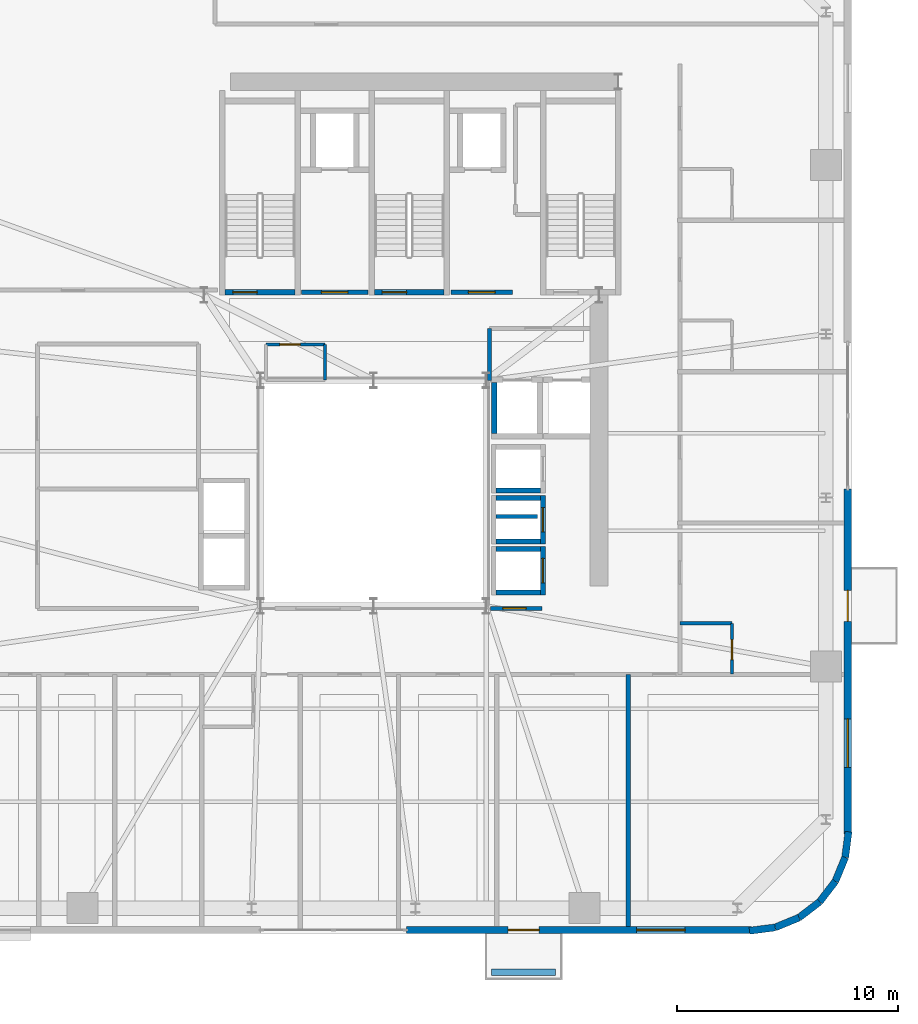
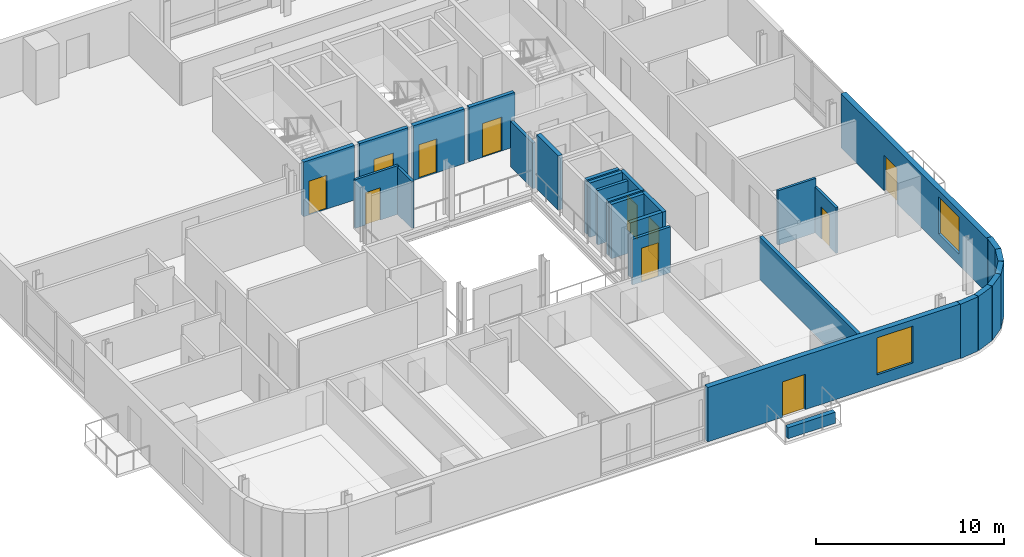
# One storey, part 8 of 12: 29 walls, 11 doors, 2 windows, 13 openings.
"""IFC4 building model written with IfcOpenShell, lengths in metres."""

import ifcopenshell
import ifcopenshell.guid

model = None  # the IFC model being written
_history = None  # IfcOwnerHistory: only IFC2X3 demands one
_inside = {}  # id of a spatial element -> (the spatial element, [elements in it])
_under = {}  # id of a project, library or spatial element -> (it, [spatial elements below it])
_declared = {}  # id of a project -> (the project, [libraries it declares])
_typed = {}  # id of a type object -> (the type object, [elements of that type])
_made_of = {}  # id of a material, layer set ... -> (it, [elements and type objects made of it])


def new_model(schema):
    """Start an empty IFC model of exactly this schema.

    Asked for "IFC4X3", IfcOpenShell would pick the latest addendum, in which some entities
    have other attributes; the version numbers below select the first issue.
    IFC2X3 requires an IfcOwnerHistory on every rooted entity: one is made here for all.
    """
    global model, _history
    if schema == "IFC4X3":
        model = ifcopenshell.file(schema_version=(4, 3, 0, 0))
    else:
        model = ifcopenshell.file(schema=schema)
    _inside.clear()
    _under.clear()
    _declared.clear()
    _typed.clear()
    _made_of.clear()
    _history = None
    if model.schema == "IFC2X3":
        org = make("IfcOrganization", Name="unknown")
        user = make(
            "IfcPersonAndOrganization",
            ThePerson=make("IfcPerson", FamilyName="unknown"),
            TheOrganization=org,
        )
        app = make(
            "IfcApplication",
            ApplicationDeveloper=org,
            Version="unknown",
            ApplicationFullName="unknown",
            ApplicationIdentifier="unknown",
        )
        _history = make(
            "IfcOwnerHistory",
            OwningUser=user,
            OwningApplication=app,
            ChangeAction="ADDED",
            CreationDate=0,
        )
    return model


def make(cls, **values):
    """One entity of the class cls with the attributes given. An attribute that is None is left unset."""
    return model.create_entity(
        cls, **{name: value for name, value in values.items() if value is not None}
    )


def rooted(cls, **values):
    """An entity with a GlobalId (a new one), such as an element, a storey or a relation."""
    return make(cls, GlobalId=ifcopenshell.guid.new(), OwnerHistory=_history, **values)


def si_unit(unit_type, name, prefix=None):
    """IfcSIUnit, for example si_unit("LENGTHUNIT", "METRE", prefix="MILLI")."""
    return make("IfcSIUnit", UnitType=unit_type, Prefix=prefix, Name=name)


def assignment(units):
    """IfcUnitAssignment: the units of a project."""
    return None if units is None else make("IfcUnitAssignment", Units=units)


def point(xyz):
    """IfcCartesianPoint."""
    return None if xyz is None else make("IfcCartesianPoint", Coordinates=xyz)


def direction(xyz):
    """IfcDirection."""
    return None if xyz is None else make("IfcDirection", DirectionRatios=xyz)


def frame(location, z_axis=None, x_axis=None):
    """IfcAxis2Placement3D, a coordinate frame: its origin and axes. An axis left out is left unset."""
    return make(
        "IfcAxis2Placement3D",
        Location=point(location),
        Axis=direction(z_axis),
        RefDirection=direction(x_axis),
    )


def frame_2d(location, x_axis=None):
    """IfcAxis2Placement2D, a coordinate frame in the plane: its origin and x axis."""
    return make(
        "IfcAxis2Placement2D", Location=point(location), RefDirection=direction(x_axis)
    )


def origin():
    """The frame at (0, 0, 0) with its axes left unset."""
    return frame((0.0, 0.0, 0.0))


def place(relative_to, where):
    """IfcLocalPlacement: puts the frame where relative to a parent placement (None: the world)."""
    return make(
        "IfcLocalPlacement", PlacementRelTo=relative_to, RelativePlacement=where
    )


def context(
    kind, dimensions, precision=None, world=None, true_north=None, identifier=None
):
    """IfcGeometricRepresentationContext, for example the 3D "Model" context."""
    return make(
        "IfcGeometricRepresentationContext",
        ContextIdentifier=identifier,
        ContextType=kind,
        CoordinateSpaceDimension=dimensions,
        Precision=precision,
        WorldCoordinateSystem=world,
        TrueNorth=true_north,
    )


def subcontext(parent, identifier, kind, view, scale=None):
    """IfcGeometricRepresentationSubContext, for example "Body" below "Model"."""
    return make(
        "IfcGeometricRepresentationSubContext",
        ContextIdentifier=identifier,
        ContextType=kind,
        ParentContext=parent,
        TargetScale=scale,
        TargetView=view,
    )


def project(units=None, contexts=None):
    """IfcProject with its units and contexts."""
    return rooted(
        "IfcProject",
        Name="project",
        RepresentationContexts=contexts,
        UnitsInContext=assignment(units),
    )


def spatial(cls, under=None, at=None, **own):
    """A site, building, storey or space (cls), placed at a placement, below another one or the project."""
    s = rooted(cls, ObjectPlacement=at, **own)
    if under is not None:
        _under.setdefault(under.id(), (under, []))[1].append(s)
    return s


def profile(cls, at=None, kind="AREA", **sizes):
    """A parametric profile (cls). Its sizes go by their IFC names, for example OverallWidth=200.0."""
    return make(cls, ProfileType=kind, Position=at, **sizes)


def rectangle(**sizes):
    """IfcRectangleProfileDef."""
    return profile("IfcRectangleProfileDef", **sizes)


def extrude(swept, where, along, depth):
    """IfcExtrudedAreaSolid: the profile swept, set in the frame where, extruded along a direction by depth."""
    return make(
        "IfcExtrudedAreaSolid",
        SweptArea=swept,
        Position=where,
        ExtrudedDirection=direction(along),
        Depth=depth,
    )


def shape(context_of_items, identifier, shape_type, items):
    """IfcShapeRepresentation: the items that make up one representation, for example the "Body"."""
    return make(
        "IfcShapeRepresentation",
        ContextOfItems=context_of_items,
        RepresentationIdentifier=identifier,
        RepresentationType=shape_type,
        Items=items,
    )


def source(mapping_origin, context_of_items, identifier, shape_type, items):
    """IfcRepresentationMap: a shape defined once, which mapped items show again and again."""
    return make(
        "IfcRepresentationMap",
        MappingOrigin=mapping_origin,
        MappedRepresentation=shape(context_of_items, identifier, shape_type, items),
    )


def transform(
    local_origin,
    x_axis=None,
    y_axis=None,
    z_axis=None,
    scale=None,
    scale2=None,
    scale3=None,
    uniform=True,
):
    """IfcCartesianTransformationOperator3D, or its non-uniform kind. x_axis, y_axis, z_axis: its Axis1, 2, 3."""
    if uniform:
        return make(
            "IfcCartesianTransformationOperator3D",
            Axis1=direction(x_axis),
            Axis2=direction(y_axis),
            LocalOrigin=point(local_origin),
            Scale=scale,
            Axis3=direction(z_axis),
        )
    return make(
        "IfcCartesianTransformationOperator3DnonUniform",
        Axis1=direction(x_axis),
        Axis2=direction(y_axis),
        LocalOrigin=point(local_origin),
        Scale=scale,
        Axis3=direction(z_axis),
        Scale2=scale2,
        Scale3=scale3,
    )


def mapped(mapping_source, mapping_target):
    """IfcMappedItem: shows the shape of a source again, moved by a transform."""
    return make(
        "IfcMappedItem", MappingSource=mapping_source, MappingTarget=mapping_target
    )


def material(Name=None, Category=None):
    """IfcMaterial."""
    return make("IfcMaterial", Name=Name, Category=Category)


def layer(
    of_material, thickness, ventilated=None, Name=None, Category=None, Priority=None
):
    """IfcMaterialLayer: one layer of a wall or slab, of a material (None: an air gap)."""
    return make(
        "IfcMaterialLayer",
        Material=of_material,
        LayerThickness=thickness,
        IsVentilated=ventilated,
        Name=Name,
        Category=Category,
        Priority=Priority,
    )


def layer_set(layers, Name=None):
    """IfcMaterialLayerSet."""
    return make("IfcMaterialLayerSet", MaterialLayers=layers, LayerSetName=Name)


def made_of(thing, what):
    """Note that an element or type object is made of a material, layer set ...; save() writes the relation."""
    if what is not None:
        _made_of.setdefault(what.id(), (what, []))[1].append(thing)
    return thing


def type_object(cls, material=None, **own):
    """A type object (cls), such as IfcWallType, which elements share."""
    return made_of(rooted(cls, **own), material)


def element(
    cls,
    number,
    at=None,
    inside=None,
    cuts=None,
    type_object=None,
    material=None,
    context=None,
    identifier="Body",
    shape_type=None,
    held_by="IfcProductDefinitionShape",
    body=None,
    shapes=None,
    **own,
):
    """One element of the class cls, such as IfcWall. Its Tag is "e" and its number.

    at: its placement. inside: the storey or other place that contains it. cuts: it is an
    opening in that element (IfcRelVoidsElement). A single representation is given by context,
    identifier, shape_type and body (its items); several are given by shapes. held_by: the class
    of the entity that holds the representations. save() writes the other relations.
    """
    e = rooted(cls, Tag="e%d" % number, ObjectPlacement=at, **own)
    if body is not None:
        shapes = [shape(context, identifier, shape_type, body)]
    if shapes is not None:
        e.Representation = make(held_by, Representations=shapes)
    if inside is not None:
        _inside.setdefault(inside.id(), (inside, []))[1].append(e)
    if cuts is not None:
        rooted(
            "IfcRelVoidsElement", RelatingBuildingElement=cuts, RelatedOpeningElement=e
        )
    if type_object is not None:
        _typed.setdefault(type_object.id(), (type_object, []))[1].append(e)
    return made_of(e, material)


def fill(opening, filler):
    """IfcRelFillsElement: the door or window that sits in an opening."""
    return rooted(
        "IfcRelFillsElement",
        RelatingOpeningElement=opening,
        RelatedBuildingElement=filler,
    )


def aggregate(whole, parts):
    """IfcRelAggregates: a whole, such as a stair, and the parts it consists of."""
    return rooted("IfcRelAggregates", RelatingObject=whole, RelatedObjects=parts)


def save(model, path):
    """Write the relations noted so far, then the file.

    IfcRelAggregates (storeys below a building ...), IfcRelContainedInSpatialStructure (elements
    in a storey), IfcRelDefinesByType, IfcRelAssociatesMaterial and IfcRelDeclares: one each for
    every whole, place, type object, material and project.
    """
    for whole, parts in _under.values():
        aggregate(whole, parts)
    for where, things in _inside.values():
        rooted(
            "IfcRelContainedInSpatialStructure",
            RelatedElements=things,
            RelatingStructure=where,
        )
    for kind, things in _typed.values():
        rooted("IfcRelDefinesByType", RelatedObjects=things, RelatingType=kind)
    for what, things in _made_of.values():
        rooted("IfcRelAssociatesMaterial", RelatedObjects=things, RelatingMaterial=what)
    for by, libraries in _declared.values():
        rooted("IfcRelDeclares", RelatingContext=by, RelatedDefinitions=libraries)
    model.write(path)


model = new_model("IFC4")

# Units and contexts
model_context = context("Model", 3, precision=1e-05, world=origin(), true_north=direction((0.0, 1.0)))
body_context = subcontext(model_context, "Body", "Model", "MODEL_VIEW")
ifc_project = project(units=[si_unit("LENGTHUNIT", "METRE"), si_unit("AREAUNIT", "SQUARE_METRE"), si_unit("VOLUMEUNIT", "CUBIC_METRE"), si_unit("PLANEANGLEUNIT", "RADIAN"), si_unit("MASSUNIT", "GRAM", prefix="KILO")], contexts=[model_context])

# Site, building, storey
site_placement = place(None, origin())
site = spatial("IfcSite", under=ifc_project, at=site_placement, CompositionType="ELEMENT")
building_placement = place(site_placement, origin())
building = spatial("IfcBuilding", under=site, at=building_placement, Name="Vardaveli Station Tower", CompositionType="ELEMENT")
storey_placement = place(building_placement, frame((0.0, 0.0, 214.800048828125)))
storey = spatial("IfcBuildingStorey", under=building, at=storey_placement, Name="L55", CompositionType="ELEMENT", Elevation=214.800048828125)

# Wall
ifc_material_1 = material(Name="Precast concrete C45/55", Category="concrete")
ifc_layer_1 = layer(ifc_material_1, 0.280029296875, Name="Precast concrete C45/55")
ifc_layer_set_1 = layer_set([ifc_layer_1], Name="Precast concrete C45/55")
wall_type_1 = type_object("IfcWallType", Name="WAL-PARAPET-280", PredefinedType="SOLIDWALL", material=ifc_layer_set_1)
shared_shape_1 = source(origin(), body_context, "Body", "SweptSolid", [
    extrude(rectangle(XDim=2.89990234375, YDim=0.280029296875, at=frame_2d((1.449951171875, 0.0))), origin(), (0.0, 0.0, 1.0), 0.719970703125),
])
wall_1_placement = place(storey_placement, frame((41.6396484375, 0.050048828125, 0.0), z_axis=(0.0, 0.0, 1.0), x_axis=(1.0, 0.0, 0.0)))
element("IfcWall", 1, at=wall_1_placement, inside=storey, type_object=wall_type_1, Name="Terrace Travertine Planter L55", PredefinedType="SOLIDWALL", context=body_context, shape_type="MappedRepresentation", body=[
    mapped(shared_shape_1, transform((0.0, 0.0, 0.0), scale=1.0)),
])

# Wall, openings, door, window
ifc_layer_2 = layer(ifc_material_1, 0.320068359375, Name="Precast concrete C45/55")
ifc_layer_set_2 = layer_set([ifc_layer_2], Name="Precast concrete C45/55")
wall_type_2 = type_object("IfcWallType", Name="WAL-EXT-STONE-320", PredefinedType="SOLIDWALL", material=ifc_layer_set_2)
shared_shape_2 = source(origin(), body_context, "Body", "SweptSolid", [
    extrude(rectangle(XDim=15.599853515625, YDim=0.320068359375, at=frame_2d((7.7998046875, 0.0))), origin(), (0.0, 0.0, 1.0), 3.530029296875),
])
wall_2_placement = place(storey_placement, frame((37.800048828125, 1.9599609375, 0.0), z_axis=(0.0, 0.0, 1.0), x_axis=(1.0, 0.0, 0.0)))
wall_2 = element("IfcWall", 2, at=wall_2_placement, inside=storey, type_object=wall_type_2, Name="EW-L55-S2", PredefinedType="SOLIDWALL", context=body_context, shape_type="MappedRepresentation", body=[
    mapped(shared_shape_2, transform((0.0, 0.0, 0.0), scale=1.0)),
])
shared_shape_3 = source(origin(), body_context, "Body", "SweptSolid", [
    extrude(rectangle(XDim=1.39990234375, YDim=2.300048828125, at=frame_2d((0.699951171875, 1.14990234375))), frame((0.0, 0.169921875, 0.0), z_axis=(0.0, -1.0, 0.0), x_axis=(1.0, 0.0, 0.0)), (0.0, 0.0, 1.0), 0.340087890625),
])
opening_1_placement = place(wall_2_placement, frame((4.589599609375, 0.0, 0.0)))
opening_1 = element("IfcOpeningElement", 3, at=opening_1_placement, cuts=wall_2, Name="Opening D-09", PredefinedType="OPENING", context=body_context, shape_type="MappedRepresentation", body=[
    mapped(shared_shape_3, transform((0.0, 0.0, 0.0), scale=1.0)),
])
shared_shape_4 = source(origin(), body_context, "Body", "SweptSolid", [
    extrude(rectangle(XDim=2.199951171875, YDim=2.39990234375, at=frame_2d((1.10009765625, 1.199951171875))), frame((0.0, 0.169921875, 0.0), z_axis=(0.0, -1.0, 0.0), x_axis=(1.0, 0.0, 0.0)), (0.0, 0.0, 1.0), 0.340087890625),
])
opening_2_placement = place(wall_2_placement, frame((10.39501953125, 0.0, 0.719970703125)))
opening_2 = element("IfcOpeningElement", 4, at=opening_2_placement, cuts=wall_2, Name="Opening W-03", PredefinedType="OPENING", context=body_context, shape_type="MappedRepresentation", body=[
    mapped(shared_shape_4, transform((0.0, 0.0, 0.0), scale=1.0)),
])
ifc_material_2 = material(Name="Thermally broken aluminium glass", Category="aluminium")
door_type_1 = type_object("IfcDoorType", Name="DR-LOG-1400x2300", OperationType="DOUBLE_DOOR_SLIDING", PredefinedType="DOOR", material=ifc_material_2)
shared_shape_5 = source(origin(), body_context, "Body", "SweptSolid", [
    extrude(rectangle(XDim=1.39990234375, YDim=2.300048828125, at=frame_2d((0.699951171875, 1.14990234375))), frame((0.0, 0.02490234375, 0.0), z_axis=(0.0, -1.0, 0.0), x_axis=(1.0, 0.0, 0.0)), (0.0, 0.0, 1.0), 0.050048828125),
])
door_1_placement = place(opening_1_placement, frame((1.39990234375, 0.0, 0.0), z_axis=(0.0, 0.0, 1.0), x_axis=(-1.0, 0.0, 0.0)))
door_1 = element("IfcDoor", 5, at=door_1_placement, inside=storey, type_object=door_type_1, Name="DLG-L55-S", OperationType="DOUBLE_DOOR_SLIDING", OverallHeight=2.300048828125, OverallWidth=1.39990234375, PredefinedType="DOOR", context=body_context, shape_type="MappedRepresentation", body=[
    mapped(shared_shape_5, transform((0.0, 0.0, 0.0), scale=1.0)),
])
fill(opening_1, door_1)
ifc_material_3 = material(Name="Low-E solar-control glass", Category="glass")
window_type = type_object("IfcWindowType", Name="WIN-LOG-2200x2400", PartitioningType="SINGLE_PANEL", PredefinedType="WINDOW", material=ifc_material_3)
shared_shape_6 = source(origin(), body_context, "Body", "SweptSolid", [
    extrude(rectangle(XDim=2.199951171875, YDim=2.39990234375, at=frame_2d((1.10009765625, 1.199951171875))), frame((0.0, 0.030029296875, 0.0), z_axis=(0.0, -1.0, 0.0), x_axis=(1.0, 0.0, 0.0)), (0.0, 0.0, 1.0), 0.06005859375),
])
window_1_placement = place(opening_2_placement, origin())
window_1 = element("IfcWindow", 6, at=window_1_placement, inside=storey, type_object=window_type, Name="WN-L55-S2", OverallHeight=2.39990234375, OverallWidth=2.199951171875, PartitioningType="SINGLE_PANEL", PredefinedType="WINDOW", context=body_context, shape_type="MappedRepresentation", body=[
    mapped(shared_shape_6, transform((0.0, 0.0, 0.0), scale=1.0)),
])
fill(opening_2, window_1)

wall_3_placement = place(storey_placement, frame((57.739990234375, 6.300048828125, 0.0), z_axis=(0.0, 0.0, 1.0), x_axis=(0.0, 1.0, 0.0)))
wall_3 = element("IfcWall", 7, at=wall_3_placement, inside=storey, type_object=wall_type_2, Name="EW-L55-E1", PredefinedType="SOLIDWALL", context=body_context, shape_type="MappedRepresentation", body=[
    mapped(shared_shape_2, transform((0.0, 0.0, 0.0), scale=1.0)),
])
opening_3_placement = place(wall_3_placement, frame((9.6103515625, 0.0, 0.0)))
opening_3 = element("IfcOpeningElement", 8, at=opening_3_placement, cuts=wall_3, Name="Opening D-09", PredefinedType="OPENING", context=body_context, shape_type="MappedRepresentation", body=[
    mapped(shared_shape_3, transform((0.0, 0.0, 0.0), scale=1.0)),
])
opening_4_placement = place(wall_3_placement, frame((3.0048828125, 0.0, 0.719970703125)))
opening_4 = element("IfcOpeningElement", 9, at=opening_4_placement, cuts=wall_3, Name="Opening W-03", PredefinedType="OPENING", context=body_context, shape_type="MappedRepresentation", body=[
    mapped(shared_shape_4, transform((0.0, 0.0, 0.0), scale=1.0)),
])
door_2_placement = place(opening_3_placement, frame((1.39990234375, 0.0, 0.0), z_axis=(0.0, 0.0, 1.0), x_axis=(-1.0, 0.0, 0.0)))
door_2 = element("IfcDoor", 10, at=door_2_placement, inside=storey, type_object=door_type_1, Name="DLG-L55-E", OperationType="DOUBLE_DOOR_SLIDING", OverallHeight=2.300048828125, OverallWidth=1.39990234375, PredefinedType="DOOR", context=body_context, shape_type="MappedRepresentation", body=[
    mapped(shared_shape_5, transform((0.0, 0.0, 0.0), scale=1.0)),
])
fill(opening_3, door_2)
window_2_placement = place(opening_4_placement, origin())
window_2 = element("IfcWindow", 11, at=window_2_placement, inside=storey, type_object=window_type, Name="WN-L55-E1", OverallHeight=2.39990234375, OverallWidth=2.199951171875, PartitioningType="SINGLE_PANEL", PredefinedType="WINDOW", context=body_context, shape_type="MappedRepresentation", body=[
    mapped(shared_shape_6, transform((0.0, 0.0, 0.0), scale=1.0)),
])
fill(opening_4, window_2)

# Walls
shared_shape_7 = source(origin(), body_context, "Body", "SweptSolid", [
    extrude(rectangle(XDim=1.170654296875, YDim=0.320068359375, at=frame_2d((0.58544921875, 0.0))), origin(), (0.0, 0.0, 1.0), 3.530029296875),
])
wall_4_placement = place(storey_placement, frame((57.62548828125, 5.23974609375, 0.0), z_axis=(0.0, 0.0, 1.0), x_axis=(0.128269133229, 0.991739395941, 0.0)))
element("IfcWall", 12, at=wall_4_placement, inside=storey, type_object=wall_type_2, Name="EW-L55-CR2-6", PredefinedType="SOLIDWALL", context=body_context, shape_type="MappedRepresentation", body=[
    mapped(shared_shape_7, transform((0.0, 0.0, 0.0), scale=1.0)),
])
shared_shape_8 = source(origin(), body_context, "Body", "SweptSolid", [
    extrude(rectangle(XDim=1.1689453125, YDim=0.320068359375, at=frame_2d((0.58447265625, 0.0))), origin(), (0.0, 0.0, 1.0), 3.530029296875),
])
for number, where, z_axis, x_axis, name in (
    (13, (56.46875, 3.231201171875, 0.0), (0.0, 0.0, 1.0), (0.608387696831, 0.793639975269, 0.0), "EW-L55-CR2-4"),
    (14, (57.179931640625, 4.158935546875, 0.0), (0.0, 0.0, 1.0), (0.381127904695, 0.924522320046, 0.0), "EW-L55-CR2-5"),
):
    element("IfcWall", number, at=place(storey_placement, frame(where, z_axis=z_axis, x_axis=x_axis)), inside=storey, type_object=wall_type_2, Name=name, PredefinedType="SOLIDWALL", context=body_context, shape_type="MappedRepresentation", body=[
        mapped(shared_shape_8, transform((0.0, 0.0, 0.0), scale=1.0)),
    ])
shared_shape_9 = source(origin(), body_context, "Body", "SweptSolid", [
    extrude(rectangle(XDim=1.168701171875, YDim=0.320068359375, at=frame_2d((0.58447265625, 0.0))), origin(), (0.0, 0.0, 1.0), 3.530029296875),
])
wall_5_placement = place(storey_placement, frame((55.541259765625, 2.520263671875, 0.0), z_axis=(0.0, 0.0, 1.0), x_axis=(0.793663520347, 0.608356981114, 0.0)))
element("IfcWall", 15, at=wall_5_placement, inside=storey, type_object=wall_type_2, Name="EW-L55-CR2-3", PredefinedType="SOLIDWALL", context=body_context, shape_type="MappedRepresentation", body=[
    mapped(shared_shape_9, transform((0.0, 0.0, 0.0), scale=1.0)),
])
shared_shape_10 = source(origin(), body_context, "Body", "SweptSolid", [
    extrude(rectangle(XDim=1.16943359375, YDim=0.320068359375, at=frame_2d((0.584716796875, 0.0))), origin(), (0.0, 0.0, 1.0), 3.530029296875),
])
wall_6_placement = place(storey_placement, frame((54.460205078125, 2.074462890625, 0.0), z_axis=(0.0, 0.0, 1.0), x_axis=(0.924479075121, 0.381232789334, 0.0)))
element("IfcWall", 16, at=wall_6_placement, inside=storey, type_object=wall_type_2, Name="EW-L55-CR2-2", PredefinedType="SOLIDWALL", context=body_context, shape_type="MappedRepresentation", body=[
    mapped(shared_shape_10, transform((0.0, 0.0, 0.0), scale=1.0)),
])
shared_shape_11 = source(origin(), body_context, "Body", "SweptSolid", [
    extrude(rectangle(XDim=1.170166015625, YDim=0.320068359375, at=frame_2d((0.5849609375, 0.0))), origin(), (0.0, 0.0, 1.0), 3.530029296875),
])
wall_7_placement = place(storey_placement, frame((53.299560546875, 1.924560546875, 0.0), z_axis=(0.0, 0.0, 1.0), x_axis=(0.991762485493, 0.128090485085, 0.0)))
element("IfcWall", 17, at=wall_7_placement, inside=storey, type_object=wall_type_2, Name="EW-L55-CR2-1", PredefinedType="SOLIDWALL", context=body_context, shape_type="MappedRepresentation", body=[
    mapped(shared_shape_11, transform((0.0, 0.0, 0.0), scale=1.0)),
])

# Wall, opening, door
ifc_material_4 = material(Name="Concrete C40/50", Category="concrete")
ifc_layer_3 = layer(ifc_material_4, 0.25, Name="Concrete C40/50")
ifc_layer_set_3 = layer_set([ifc_layer_3], Name="Concrete C40/50")
wall_type_3 = type_object("IfcWallType", Name="WAL-SHAFT-250", PredefinedType="SOLIDWALL", material=ifc_layer_set_3)
shared_shape_12 = source(origin(), body_context, "Body", "SweptSolid", [
    extrude(rectangle(XDim=3.14990234375, YDim=0.25, at=frame_2d((1.574951171875, 0.0))), origin(), (0.0, 0.0, 1.0), 3.550048828125),
])
wall_8_placement = place(storey_placement, frame((29.60009765625, 30.77490234375, 0.0), z_axis=(0.0, 0.0, 1.0), x_axis=(1.0, 0.0, 0.0)))
wall_8 = element("IfcWall", 18, at=wall_8_placement, inside=storey, type_object=wall_type_3, Name="W-L55-ST-1S", PredefinedType="SOLIDWALL", context=body_context, shape_type="MappedRepresentation", body=[
    mapped(shared_shape_12, transform((0.0, 0.0, 0.0), scale=1.0)),
])
shared_shape_13 = source(origin(), body_context, "Body", "SweptSolid", [
    extrude(rectangle(XDim=1.10009765625, YDim=2.199951171875, at=frame_2d((0.550048828125, 1.10009765625))), frame((0.0, 0.135009765625, 0.0), z_axis=(0.0, -1.0, 0.0), x_axis=(1.0, 0.0, 0.0)), (0.0, 0.0, 1.0), 0.27001953125),
])
opening_5_placement = place(wall_8_placement, frame((0.35009765625, 0.0, 0.0)))
opening_5 = element("IfcOpeningElement", 19, at=opening_5_placement, cuts=wall_8, Name="Opening D-04", PredefinedType="OPENING", context=body_context, shape_type="MappedRepresentation", body=[
    mapped(shared_shape_13, transform((0.0, 0.0, 0.0), scale=1.0)),
])
ifc_material_5 = material(Name="Steel smokeproof fire doorset", Category="steel")
door_type_2 = type_object("IfcDoorType", Name="DR-ST-1100x2200", OperationType="NOTDEFINED", PredefinedType="DOOR", material=ifc_material_5)
shared_shape_14 = source(origin(), body_context, "Body", "SweptSolid", [
    extrude(rectangle(XDim=1.10009765625, YDim=2.199951171875, at=frame_2d((0.550048828125, 1.10009765625))), frame((0.0, 0.02490234375, 0.0), z_axis=(0.0, -1.0, 0.0), x_axis=(1.0, 0.0, 0.0)), (0.0, 0.0, 1.0), 0.050048828125),
])
door_3_placement = place(opening_5_placement, origin())
door_3 = element("IfcDoor", 20, at=door_3_placement, inside=storey, type_object=door_type_2, Name="DST-1-L55", OperationType="SINGLE_SWING_LEFT", OverallHeight=2.199951171875, OverallWidth=1.10009765625, PredefinedType="DOOR", context=body_context, shape_type="MappedRepresentation", body=[
    mapped(shared_shape_14, transform((0.0, 0.0, 0.0), scale=1.0)),
])
fill(opening_5, door_3)

wall_9_placement = place(storey_placement, frame((36.35009765625, 30.77490234375, 0.0), z_axis=(0.0, 0.0, 1.0), x_axis=(1.0, 0.0, 0.0)))
wall_9 = element("IfcWall", 21, at=wall_9_placement, inside=storey, type_object=wall_type_3, Name="W-L55-ST-2S", PredefinedType="SOLIDWALL", context=body_context, shape_type="MappedRepresentation", body=[
    mapped(shared_shape_12, transform((0.0, 0.0, 0.0), scale=1.0)),
])
opening_6_placement = place(wall_9_placement, frame((0.35009765625, 0.0, 0.0)))
opening_6 = element("IfcOpeningElement", 22, at=opening_6_placement, cuts=wall_9, Name="Opening D-04", PredefinedType="OPENING", context=body_context, shape_type="MappedRepresentation", body=[
    mapped(shared_shape_13, transform((0.0, 0.0, 0.0), scale=1.0)),
])
door_4_placement = place(opening_6_placement, origin())
door_4 = element("IfcDoor", 23, at=door_4_placement, inside=storey, type_object=door_type_2, Name="DST-2-L55", OperationType="SINGLE_SWING_LEFT", OverallHeight=2.199951171875, OverallWidth=1.10009765625, PredefinedType="DOOR", context=body_context, shape_type="MappedRepresentation", body=[
    mapped(shared_shape_14, transform((0.0, 0.0, 0.0), scale=1.0)),
])
fill(opening_6, door_4)

ifc_layer_4 = layer(ifc_material_4, 0.219970703125, Name="Concrete C40/50")
ifc_layer_set_4 = layer_set([ifc_layer_4], Name="Concrete C40/50")
wall_type_4 = type_object("IfcWallType", Name="WAL-FFLOBBY-220", PredefinedType="SOLIDWALL", material=ifc_layer_set_4)
shared_shape_15 = source(origin(), body_context, "Body", "SweptSolid", [
    extrude(rectangle(XDim=3.0, YDim=0.219970703125, at=frame_2d((1.5, 0.0))), origin(), (0.0, 0.0, 1.0), 3.530029296875),
])
wall_10_placement = place(storey_placement, frame((33.050048828125, 30.780029296875, 0.0), z_axis=(0.0, 0.0, 1.0), x_axis=(1.0, 0.0, 0.0)))
wall_10 = element("IfcWall", 24, at=wall_10_placement, inside=storey, type_object=wall_type_4, Name="W-L55-FFL1S", PredefinedType="SOLIDWALL", context=body_context, shape_type="MappedRepresentation", body=[
    mapped(shared_shape_15, transform((0.0, 0.0, 0.0), scale=1.0)),
])
shared_shape_16 = source(origin(), body_context, "Body", "SweptSolid", [
    extrude(rectangle(XDim=1.199951171875, YDim=2.199951171875, at=frame_2d((0.60009765625, 1.10009765625))), frame((0.0, 0.1201171875, 0.0), z_axis=(0.0, -1.0, 0.0), x_axis=(1.0, 0.0, 0.0)), (0.0, 0.0, 1.0), 0.239990234375),
])
opening_7_placement = place(wall_10_placement, frame((0.89990234375, 0.0, 0.0)))
opening_7 = element("IfcOpeningElement", 25, at=opening_7_placement, cuts=wall_10, Name="Opening D-03", PredefinedType="OPENING", context=body_context, shape_type="MappedRepresentation", body=[
    mapped(shared_shape_16, transform((0.0, 0.0, 0.0), scale=1.0)),
])
door_type_3 = type_object("IfcDoorType", Name="DR-FFL-1200x2200", OperationType="NOTDEFINED", PredefinedType="DOOR", material=ifc_material_5)
shared_shape_17 = source(origin(), body_context, "Body", "SweptSolid", [
    extrude(rectangle(XDim=1.199951171875, YDim=2.199951171875, at=frame_2d((0.60009765625, 1.10009765625))), frame((0.0, 0.02490234375, 0.0), z_axis=(0.0, -1.0, 0.0), x_axis=(1.0, 0.0, 0.0)), (0.0, 0.0, 1.0), 0.050048828125),
])
door_5_placement = place(opening_7_placement, origin())
door_5 = element("IfcDoor", 26, at=door_5_placement, inside=storey, type_object=door_type_3, Name="DFFL1-L55", OperationType="SINGLE_SWING_LEFT", OverallHeight=2.199951171875, OverallWidth=1.199951171875, PredefinedType="DOOR", context=body_context, shape_type="MappedRepresentation", body=[
    mapped(shared_shape_17, transform((0.0, 0.0, 0.0), scale=1.0)),
])
fill(opening_7, door_5)

shared_shape_18 = source(origin(), body_context, "Body", "SweptSolid", [
    extrude(rectangle(XDim=2.800048828125, YDim=0.219970703125, at=frame_2d((1.39990234375, 0.0))), origin(), (0.0, 0.0, 1.0), 3.530029296875),
])
wall_11_placement = place(storey_placement, frame((39.800048828125, 30.780029296875, 0.0), z_axis=(0.0, 0.0, 1.0), x_axis=(1.0, 0.0, 0.0)))
wall_11 = element("IfcWall", 27, at=wall_11_placement, inside=storey, type_object=wall_type_4, Name="W-L55-FFL2S", PredefinedType="SOLIDWALL", context=body_context, shape_type="MappedRepresentation", body=[
    mapped(shared_shape_18, transform((0.0, 0.0, 0.0), scale=1.0)),
])
opening_8_placement = place(wall_11_placement, frame((0.800048828125, 0.0, 0.0)))
opening_8 = element("IfcOpeningElement", 28, at=opening_8_placement, cuts=wall_11, Name="Opening D-03", PredefinedType="OPENING", context=body_context, shape_type="MappedRepresentation", body=[
    mapped(shared_shape_16, transform((0.0, 0.0, 0.0), scale=1.0)),
])
door_6_placement = place(opening_8_placement, origin())
door_6 = element("IfcDoor", 29, at=door_6_placement, inside=storey, type_object=door_type_3, Name="DFFL2-L55", OperationType="SINGLE_SWING_RIGHT", OverallHeight=2.199951171875, OverallWidth=1.199951171875, PredefinedType="DOOR", context=body_context, shape_type="MappedRepresentation", body=[
    mapped(shared_shape_17, transform((0.0, 0.0, 0.0), scale=1.0)),
])
fill(opening_8, door_6)

# Walls
shared_shape_19 = source(origin(), body_context, "Body", "SweptSolid", [
    extrude(rectangle(XDim=2.0, YDim=0.219970703125, at=frame_2d((1.0, 0.0))), origin(), (0.0, 0.0, 1.0), 3.530029296875),
])
for number, where, z_axis, x_axis, name in (
    (30, (41.85009765625, 21.81494140625, 0.0), (0.0, 0.0, 1.0), (1.0, 0.0, 0.0), "SHW-HL3-01-L55-S"),
    (31, (41.85009765625, 19.514892578125, 0.0), (0.0, 0.0, 1.0), (1.0, 0.0, 0.0), "SHW-HL3-02-L55-S"),
    (32, (41.85009765625, 21.485107421875, 0.0), (0.0, 0.0, 1.0), (1.0, 0.0, 0.0), "SHW-HL3-02-L55-N"),
    (33, (41.85009765625, 17.215087890625, 0.0), (0.0, 0.0, 1.0), (1.0, 0.0, 0.0), "SHW-HL3-03-L55-S"),
    (34, (41.85009765625, 19.18505859375, 0.0), (0.0, 0.0, 1.0), (1.0, 0.0, 0.0), "SHW-HL3-03-L55-N"),
):
    element("IfcWall", number, at=place(storey_placement, frame(where, z_axis=z_axis, x_axis=x_axis)), inside=storey, type_object=wall_type_4, Name=name, PredefinedType="SOLIDWALL", context=body_context, shape_type="MappedRepresentation", body=[
        mapped(shared_shape_19, transform((0.0, 0.0, 0.0), scale=1.0)),
    ])

# Wall, opening, door
shared_shape_20 = source(origin(), body_context, "Body", "SweptSolid", [
    extrude(rectangle(XDim=2.18994140625, YDim=0.219970703125, at=frame_2d((1.094970703125, 0.0))), origin(), (0.0, 0.0, 1.0), 3.530029296875),
])
wall_12_placement = place(storey_placement, frame((43.9599609375, 19.405029296875, 0.0), z_axis=(0.0, 0.0, 1.0), x_axis=(0.0, 1.0, 0.0)))
wall_12 = element("IfcWall", 35, at=wall_12_placement, inside=storey, type_object=wall_type_4, Name="SHW-HL3-02-L55-E", PredefinedType="SOLIDWALL", context=body_context, shape_type="MappedRepresentation", body=[
    mapped(shared_shape_20, transform((0.0, 0.0, 0.0), scale=1.0)),
])
shared_shape_21 = source(origin(), body_context, "Body", "SweptSolid", [
    extrude(rectangle(XDim=1.10009765625, YDim=2.199951171875, at=frame_2d((0.550048828125, 1.10009765625))), frame((0.0, 0.1201171875, 0.0), z_axis=(0.0, -1.0, 0.0), x_axis=(1.0, 0.0, 0.0)), (0.0, 0.0, 1.0), 0.239990234375),
])
opening_9_placement = place(wall_12_placement, frame((0.544921875, 0.0, 0.0)))
opening_9 = element("IfcOpeningElement", 36, at=opening_9_placement, cuts=wall_12, Name="Opening LD-01", PredefinedType="OPENING", context=body_context, shape_type="MappedRepresentation", body=[
    mapped(shared_shape_21, transform((0.0, 0.0, 0.0), scale=1.0)),
])
ifc_material_6 = material(Name="Brushed stainless steel", Category="steel")
door_type_4 = type_object("IfcDoorType", Name="DR-LD-1100x2200", OperationType="DOUBLE_DOOR_SLIDING", PredefinedType="DOOR", material=ifc_material_6)
door_7_placement = place(opening_9_placement, origin())
door_7 = element("IfcDoor", 37, at=door_7_placement, inside=storey, type_object=door_type_4, Name="LD-HL3-02-L55", OperationType="DOUBLE_DOOR_SLIDING", OverallHeight=2.199951171875, OverallWidth=1.10009765625, PredefinedType="DOOR", context=body_context, shape_type="MappedRepresentation", body=[
    mapped(shared_shape_14, transform((0.0, 0.0, 0.0), scale=1.0)),
])
fill(opening_9, door_7)

wall_13_placement = place(storey_placement, frame((43.9599609375, 17.10498046875, 0.0), z_axis=(0.0, 0.0, 1.0), x_axis=(0.0, 1.0, 0.0)))
wall_13 = element("IfcWall", 38, at=wall_13_placement, inside=storey, type_object=wall_type_4, Name="SHW-HL3-03-L55-E", PredefinedType="SOLIDWALL", context=body_context, shape_type="MappedRepresentation", body=[
    mapped(shared_shape_20, transform((0.0, 0.0, 0.0), scale=1.0)),
])
opening_10_placement = place(wall_13_placement, frame((0.544921875, 0.0, 0.0)))
opening_10 = element("IfcOpeningElement", 39, at=opening_10_placement, cuts=wall_13, Name="Opening LD-01", PredefinedType="OPENING", context=body_context, shape_type="MappedRepresentation", body=[
    mapped(shared_shape_21, transform((0.0, 0.0, 0.0), scale=1.0)),
])
door_8_placement = place(opening_10_placement, origin())
door_8 = element("IfcDoor", 40, at=door_8_placement, inside=storey, type_object=door_type_4, Name="LD-HL3-03-L55", OperationType="DOUBLE_DOOR_SLIDING", OverallHeight=2.199951171875, OverallWidth=1.10009765625, PredefinedType="DOOR", context=body_context, shape_type="MappedRepresentation", body=[
    mapped(shared_shape_14, transform((0.0, 0.0, 0.0), scale=1.0)),
])
fill(opening_10, door_8)

# Wall
shared_shape_22 = source(origin(), body_context, "Body", "SweptSolid", [
    extrude(rectangle(XDim=2.300048828125, YDim=0.25, at=frame_2d((1.14990234375, 0.0))), origin(), (0.0, 0.0, 1.0), 3.530029296875),
])
wall_14_placement = place(storey_placement, frame((41.77490234375, 24.39990234375, 0.0), z_axis=(0.0, 0.0, 1.0), x_axis=(0.0, 1.0, 0.0)))
element("IfcWall", 41, at=wall_14_placement, inside=storey, type_object=wall_type_3, Name="SHW-SRV-01-L55-W", PredefinedType="SOLIDWALL", context=body_context, shape_type="MappedRepresentation", body=[
    mapped(shared_shape_22, transform((0.0, 0.0, 0.0), scale=1.0)),
])

# Wall, opening, door
ifc_material_7 = material(Name="Fire-rated gypsum stud partition")
ifc_layer_5 = layer(ifc_material_7, 0.179931640625, Name="Fire-rated gypsum stud partition")
ifc_layer_set_5 = layer_set([ifc_layer_5], Name="Fire-rated gypsum stud partition")
wall_type_5 = type_object("IfcWallType", Name="WAL-CORR-180", PredefinedType="PARTITIONING", material=ifc_layer_set_5)
shared_shape_23 = source(origin(), body_context, "Body", "SweptSolid", [
    extrude(rectangle(XDim=2.329833984375, YDim=0.179931640625, at=frame_2d((1.1650390625, 0.0))), origin(), (0.0, 0.0, 1.0), 2.971923828125),
])
wall_15_placement = place(storey_placement, frame((41.60009765625, 16.5, 0.0), z_axis=(0.0, 0.0, 1.0), x_axis=(1.0, 0.0, 0.0)))
wall_15 = element("IfcWall", 42, at=wall_15_placement, inside=storey, type_object=wall_type_5, Name="W-L55-ATE-S", PredefinedType="PARTITIONING", context=body_context, shape_type="MappedRepresentation", body=[
    mapped(shared_shape_23, transform((0.0, 0.0, 0.0), scale=1.0)),
])
shared_shape_24 = source(origin(), body_context, "Body", "SweptSolid", [
    extrude(rectangle(XDim=1.050048828125, YDim=2.199951171875, at=frame_2d((0.52490234375, 1.10009765625))), frame((0.0, 0.10009765625, 0.0), z_axis=(0.0, -1.0, 0.0), x_axis=(1.0, 0.0, 0.0)), (0.0, 0.0, 1.0), 0.199951171875),
])
opening_11_placement = place(wall_15_placement, frame((0.550048828125, 0.0, 0.0)))
opening_11 = element("IfcOpeningElement", 43, at=opening_11_placement, cuts=wall_15, Name="Opening D-05", PredefinedType="OPENING", context=body_context, shape_type="MappedRepresentation", body=[
    mapped(shared_shape_24, transform((0.0, 0.0, 0.0), scale=1.0)),
])
ifc_material_8 = material(Name="Walnut veneer acoustic fire door")
door_type_5 = type_object("IfcDoorType", Name="DR-SUITE-1050x2200", OperationType="NOTDEFINED", PredefinedType="DOOR", material=ifc_material_8)
shared_shape_25 = source(origin(), body_context, "Body", "SweptSolid", [
    extrude(rectangle(XDim=1.050048828125, YDim=2.199951171875, at=frame_2d((0.52490234375, 1.10009765625))), frame((0.0, 0.02490234375, 0.0), z_axis=(0.0, -1.0, 0.0), x_axis=(1.0, 0.0, 0.0)), (0.0, 0.0, 1.0), 0.050048828125),
])
door_9_placement = place(opening_11_placement, origin())
door_9 = element("IfcDoor", 44, at=door_9_placement, inside=storey, type_object=door_type_5, Name="D-L55-ATE1", OperationType="SINGLE_SWING_RIGHT", OverallHeight=2.199951171875, OverallWidth=1.050048828125, PredefinedType="DOOR", context=body_context, shape_type="MappedRepresentation", body=[
    mapped(shared_shape_25, transform((0.0, 0.0, 0.0), scale=1.0)),
])
fill(opening_11, door_9)

ifc_material_9 = material(Name="Moisture-resistant stud partition")
ifc_layer_6 = layer(ifc_material_9, 0.14990234375, Name="Moisture-resistant stud partition")
ifc_layer_set_6 = layer_set([ifc_layer_6], Name="Moisture-resistant stud partition")
wall_type_6 = type_object("IfcWallType", Name="WAL-WET-150", PredefinedType="PARTITIONING", material=ifc_layer_set_6)
shared_shape_26 = source(origin(), body_context, "Body", "SweptSolid", [
    extrude(rectangle(XDim=2.2900390625, YDim=0.14990234375, at=frame_2d((1.14501953125, 0.0))), origin(), (0.0, 0.0, 1.0), 2.971923828125),
])
wall_16_placement = place(storey_placement, frame((52.510009765625, 13.530029296875, 0.0), z_axis=(0.0, 0.0, 1.0), x_axis=(0.0, 1.0, 0.0)))
wall_16 = element("IfcWall", 45, at=wall_16_placement, inside=storey, type_object=wall_type_6, Name="W-L55-BE1-E", PredefinedType="PARTITIONING", context=body_context, shape_type="MappedRepresentation", body=[
    mapped(shared_shape_26, transform((0.0, 0.0, 0.0), scale=1.0)),
])
shared_shape_27 = source(origin(), body_context, "Body", "SweptSolid", [
    extrude(rectangle(XDim=0.89990234375, YDim=2.10009765625, at=frame_2d((0.449951171875, 1.050048828125))), frame((0.0, 0.0849609375, 0.0), z_axis=(0.0, -1.0, 0.0), x_axis=(1.0, 0.0, 0.0)), (0.0, 0.0, 1.0), 0.169921875),
])
opening_12_placement = place(wall_16_placement, frame((0.64990234375, 0.0, 0.0)))
opening_12 = element("IfcOpeningElement", 46, at=opening_12_placement, cuts=wall_16, Name="Opening D-08", PredefinedType="OPENING", context=body_context, shape_type="MappedRepresentation", body=[
    mapped(shared_shape_27, transform((0.0, 0.0, 0.0), scale=1.0)),
])
ifc_material_10 = material(Name="Moisture-resistant oak door")
door_type_6 = type_object("IfcDoorType", Name="DR-BATH-900x2100", OperationType="NOTDEFINED", PredefinedType="DOOR", material=ifc_material_10)
shared_shape_28 = source(origin(), body_context, "Body", "SweptSolid", [
    extrude(rectangle(XDim=0.89990234375, YDim=2.10009765625, at=frame_2d((0.449951171875, 1.050048828125))), frame((0.0, 0.02490234375, 0.0), z_axis=(0.0, -1.0, 0.0), x_axis=(1.0, 0.0, 0.0)), (0.0, 0.0, 1.0), 0.050048828125),
])
door_10_placement = place(opening_12_placement, origin())
door_10 = element("IfcDoor", 47, at=door_10_placement, inside=storey, type_object=door_type_6, Name="D-L55-BE1", OperationType="SINGLE_SWING_LEFT", OverallHeight=2.10009765625, OverallWidth=0.89990234375, PredefinedType="DOOR", context=body_context, shape_type="MappedRepresentation", body=[
    mapped(shared_shape_28, transform((0.0, 0.0, 0.0), scale=1.0)),
])
fill(opening_12, door_10)

# Walls
ifc_material_11 = material(Name="Acoustic twin-stud gypsum partition")
ifc_layer_7 = layer(ifc_material_11, 0.199951171875, Name="Acoustic twin-stud gypsum partition")
ifc_layer_set_7 = layer_set([ifc_layer_7], Name="Acoustic twin-stud gypsum partition")
wall_type_7 = type_object("IfcWallType", Name="WAL-PARTY-200", PredefinedType="PARTITIONING", material=ifc_layer_set_7)
shared_shape_29 = source(origin(), body_context, "Body", "SweptSolid", [
    extrude(rectangle(XDim=11.387939453125, YDim=0.199951171875, at=frame_2d((5.69384765625, 0.0))), origin(), (0.0, 0.0, 1.0), 2.77197265625),
])
wall_17_placement = place(storey_placement, frame((47.820068359375, 2.1220703125, 0.0), z_axis=(0.0, 0.0, 1.0), x_axis=(0.0, 1.0, 0.0)))
element("IfcWall", 48, at=wall_17_placement, inside=storey, type_object=wall_type_7, Name="W-L55-PS7", PredefinedType="PARTITIONING", context=body_context, shape_type="MappedRepresentation", body=[
    mapped(shared_shape_29, transform((0.0, 0.0, 0.0), scale=1.0)),
])
shared_shape_30 = source(origin(), body_context, "Body", "SweptSolid", [
    extrude(rectangle(XDim=2.360107421875, YDim=0.14990234375, at=frame_2d((1.18017578125, 0.0))), origin(), (0.0, 0.0, 1.0), 3.530029296875),
])
wall_18_placement = place(storey_placement, frame((50.14990234375, 15.820068359375, 0.0), z_axis=(0.0, 0.0, 1.0), x_axis=(1.0, 0.0, 0.0)))
element("IfcWall", 49, at=wall_18_placement, inside=storey, type_object=wall_type_6, Name="W-L55-BE1-N", PredefinedType="PARTITIONING", context=body_context, shape_type="MappedRepresentation", body=[
    mapped(shared_shape_30, transform((0.0, 0.0, 0.0), scale=1.0)),
])
shared_shape_31 = source(origin(), body_context, "Body", "SweptSolid", [
    extrude(rectangle(XDim=2.349853515625, YDim=0.179931640625, at=frame_2d((1.1748046875, 0.0))), origin(), (0.0, 0.0, 1.0), 2.971923828125),
])
wall_19_placement = place(storey_placement, frame((41.550048828125, 26.800048828125, 0.0), z_axis=(0.0, 0.0, 1.0), x_axis=(0.0, 1.0, 0.0)))
element("IfcWall", 50, at=wall_19_placement, inside=storey, type_object=wall_type_5, Name="W-L55-SVFW", PredefinedType="PARTITIONING", context=body_context, shape_type="MappedRepresentation", body=[
    mapped(shared_shape_31, transform((0.0, 0.0, 0.0), scale=1.0)),
])
shared_shape_32 = source(origin(), body_context, "Body", "SweptSolid", [
    extrude(rectangle(XDim=1.85791015625, YDim=0.179931640625, at=frame_2d((0.928955078125, 0.0))), origin(), (0.0, 0.0, 1.0), 3.530029296875),
])
wall_20_placement = place(storey_placement, frame((41.85205078125, 20.64990234375, 0.0), z_axis=(0.0, 0.0, 1.0), x_axis=(1.0, 0.0, 0.0)))
element("IfcWall", 51, at=wall_20_placement, inside=storey, type_object=wall_type_5, Name="W-L55-ATE-N", PredefinedType="PARTITIONING", context=body_context, shape_type="MappedRepresentation", body=[
    mapped(shared_shape_32, transform((0.0, 0.0, 0.0), scale=1.0)),
])

# Wall, opening, door
shared_shape_33 = source(origin(), body_context, "Body", "SweptSolid", [
    extrude(rectangle(XDim=2.670166015625, YDim=0.14990234375, at=frame_2d((1.3349609375, 0.0))), origin(), (0.0, 0.0, 1.0), 3.161865234375),
])
wall_21_placement = place(storey_placement, frame((31.449951171875, 28.419921875, 0.0), z_axis=(0.0, 0.0, 1.0), x_axis=(1.0, 0.0, 0.0)))
wall_21 = element("IfcWall", 52, at=wall_21_placement, inside=storey, type_object=wall_type_6, Name="W-L55-WCA1-N", PredefinedType="PARTITIONING", context=body_context, shape_type="MappedRepresentation", body=[
    mapped(shared_shape_33, transform((0.0, 0.0, 0.0), scale=1.0)),
])
shared_shape_34 = source(origin(), body_context, "Body", "SweptSolid", [
    extrude(rectangle(XDim=0.919921875, YDim=2.10009765625, at=frame_2d((0.4599609375, 1.050048828125))), frame((0.0, 0.0849609375, 0.0), z_axis=(0.0, -1.0, 0.0), x_axis=(1.0, 0.0, 0.0)), (0.0, 0.0, 1.0), 0.169921875),
])
opening_13_placement = place(wall_21_placement, frame((0.6298828125, 0.0, 0.0)))
opening_13 = element("IfcOpeningElement", 53, at=opening_13_placement, cuts=wall_21, Name="Opening D-07", PredefinedType="OPENING", context=body_context, shape_type="MappedRepresentation", body=[
    mapped(shared_shape_34, transform((0.0, 0.0, 0.0), scale=1.0)),
])
ifc_material_12 = material(Name="Moisture-resistant hardwood door", Category="wood")
door_type_7 = type_object("IfcDoorType", Name="DR-WC-920x2100", OperationType="NOTDEFINED", PredefinedType="DOOR", material=ifc_material_12)
shared_shape_35 = source(origin(), body_context, "Body", "SweptSolid", [
    extrude(rectangle(XDim=0.919921875, YDim=2.10009765625, at=frame_2d((0.4599609375, 1.050048828125))), frame((0.0, 0.02490234375, 0.0), z_axis=(0.0, -1.0, 0.0), x_axis=(1.0, 0.0, 0.0)), (0.0, 0.0, 1.0), 0.050048828125),
])
door_11_placement = place(opening_13_placement, origin())
door_11 = element("IfcDoor", 54, at=door_11_placement, inside=storey, type_object=door_type_7, Name="D-L55-WCA", OperationType="SINGLE_SWING_RIGHT", OverallHeight=2.10009765625, OverallWidth=0.919921875, PredefinedType="DOOR", context=body_context, shape_type="MappedRepresentation", body=[
    mapped(shared_shape_35, transform((0.0, 0.0, 0.0), scale=1.0)),
])
fill(opening_13, door_11)

# Wall
shared_shape_36 = source(origin(), body_context, "Body", "SweptSolid", [
    extrude(rectangle(XDim=1.599853515625, YDim=0.14990234375, at=frame_2d((0.7998046875, 0.0))), origin(), (0.0, 0.0, 1.0), 3.072021484375),
])
wall_22_placement = place(storey_placement, frame((34.1201171875, 26.820068359375, 0.0), z_axis=(0.0, 0.0, 1.0), x_axis=(0.0, 1.0, 0.0)))
element("IfcWall", 55, at=wall_22_placement, inside=storey, type_object=wall_type_6, Name="W-L55-WCA1-E", PredefinedType="PARTITIONING", context=body_context, shape_type="MappedRepresentation", body=[
    mapped(shared_shape_36, transform((0.0, 0.0, 0.0), scale=1.0)),
])

save(model, "model.ifc")
